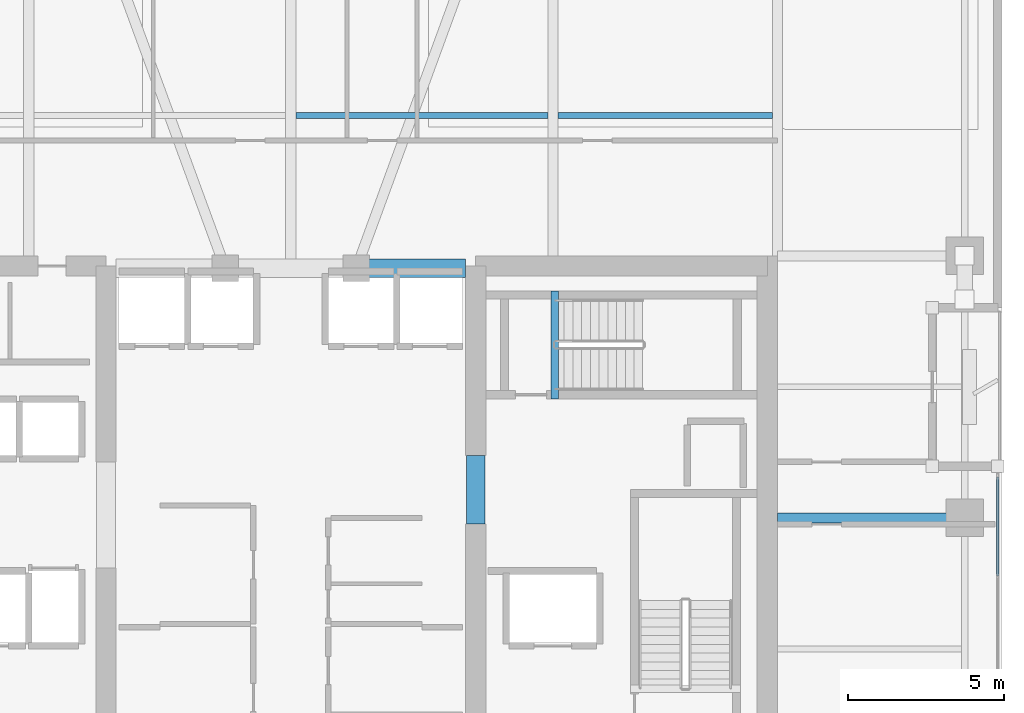
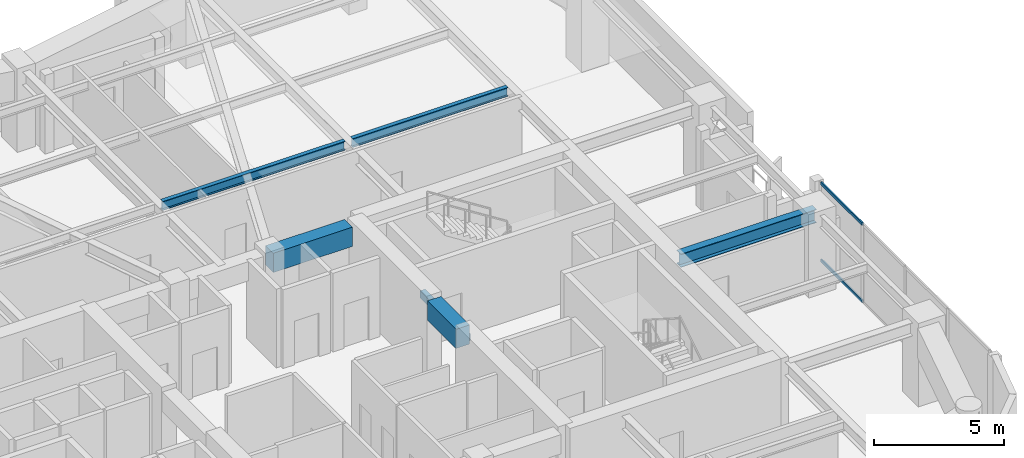
# One storey, part 10 of 30: 6 beams, 2 members, 1 element without a shape of its own.
"""IFC4 building model written with IfcOpenShell, lengths in metres."""

from ifc_helpers import new_model, si_unit, direction, frame, origin, origin_2d, place, context, subcontext, project, spatial, rectangle, hollow_rectangle, i_section, extrude, material, layer, layer_set, material_profile, profile_set, type_object, element, aggregate, save


model = new_model("IFC4")

# Units and contexts
model_context = context("Model", 3, precision=1e-05, world=origin(), true_north=direction((0.0, 1.0)))
body_context = subcontext(model_context, "Body", "Model", "MODEL_VIEW")
ifc_project = project(units=[si_unit("LENGTHUNIT", "METRE"), si_unit("AREAUNIT", "SQUARE_METRE"), si_unit("VOLUMEUNIT", "CUBIC_METRE"), si_unit("PLANEANGLEUNIT", "RADIAN"), si_unit("MASSUNIT", "GRAM", prefix="KILO")], contexts=[model_context])

# Site, building, storey
site_placement = place(None, origin())
site = spatial("IfcSite", under=ifc_project, at=site_placement, CompositionType="ELEMENT")
building_placement = place(site_placement, origin())
building = spatial("IfcBuilding", under=site, at=building_placement, Name="Kiyonajd Concourse Tower", CompositionType="ELEMENT")
storey_placement = place(building_placement, frame((0.0, 0.0, 201.89990234375)))
storey = spatial("IfcBuildingStorey", under=building, at=storey_placement, Name="L51", CompositionType="ELEMENT", Elevation=201.89990234375)

# Beams
ifc_material_1 = material(Name="Concrete C60/75", Category="concrete")
ifc_material_profile_1 = material_profile(ifc_material_1, rectangle(XDim=0.60009765625, YDim=0.89990234375, at=origin_2d()), Name="RCBM-600x900")
ifc_profile_set_1 = profile_set([ifc_material_profile_1], Name="Concrete C60/75")
beam_type_1 = type_object("IfcBeamType", Name="BM-COUP-900", PredefinedType="LINTEL", material=ifc_profile_set_1)
beam_1_placement = place(storey_placement, frame((50.10009765625, 44.0, 3.22998046875), z_axis=(1.0, 0.0, 0.0), x_axis=(0.0, 1.0, 0.0)))
element("IfcBeam", 1, at=beam_1_placement, inside=storey, type_object=beam_type_1, Name="L51 Core Coupling Beam N3", PredefinedType="LINTEL", context=body_context, shape_type="SweptSolid", body=[
    extrude(rectangle(XDim=0.60009765625, YDim=0.89990234375, at=origin_2d()), origin(), (0.0, 0.0, 1.0), 3.5),
])
beam_2_placement = place(storey_placement, frame((53.925048828125, 35.800048828125, 3.22998046875), z_axis=(0.0, 1.0, 0.0), x_axis=(-1.0, 0.0, 0.0)))
element("IfcBeam", 2, at=beam_2_placement, inside=storey, type_object=beam_type_1, Name="L51 East Core Throat Coupling Lintel", PredefinedType="LINTEL", context=body_context, shape_type="SweptSolid", body=[
    extrude(rectangle(XDim=0.60009765625, YDim=0.89990234375, at=origin_2d()), origin(), (0.0, 0.0, 1.0), 2.199951171875),
])
ifc_material_2 = material(Name="Steel ASTM A992 Grade 50", Category="steel")
ifc_material_profile_2 = material_profile(ifc_material_2, i_section(OverallWidth=0.180908203125, OverallDepth=0.4169921875, WebThickness=0.010986328125, FlangeThickness=0.018310546875, at=origin_2d()), Name="W410X85")
ifc_profile_set_2 = profile_set([ifc_material_profile_2], Name="Steel ASTM A992 Grade 50")
beam_type_2 = type_object("IfcBeamType", Name="BM-JST-410", PredefinedType="JOIST", material=ifc_profile_set_2)
beam_3_placement = place(storey_placement, frame((48.16357421875, 48.89990234375, 3.4716796875), z_axis=(1.0, 0.0, 0.0), x_axis=(0.0, 1.0, 0.0)))
element("IfcBeam", 3, at=beam_3_placement, inside=storey, type_object=beam_type_2, Name="L51 Secondary Floor Joist", PredefinedType="JOIST", context=body_context, shape_type="SweptSolid", body=[
    extrude(i_section(OverallWidth=0.180908203125, OverallDepth=0.4169921875, WebThickness=0.010986328125, FlangeThickness=0.018310546875, at=origin_2d()), origin(), (0.0, 0.0, 1.0), 8.072998046875),
])
beam_4_placement = place(storey_placement, frame((56.5634765625, 48.89990234375, 3.4716796875), z_axis=(1.0, 0.0, 0.0), x_axis=(0.0, 1.0, 0.0)))
element("IfcBeam", 4, at=beam_4_placement, inside=storey, type_object=beam_type_2, Name="L51 Secondary Floor Joist", PredefinedType="JOIST", context=body_context, shape_type="SweptSolid", body=[
    extrude(i_section(OverallWidth=0.180908203125, OverallDepth=0.4169921875, WebThickness=0.010986328125, FlangeThickness=0.018310546875, at=origin_2d()), origin(), (0.0, 0.0, 1.0), 6.873046875),
])
ifc_material_3 = material(Name="Concrete C50/60", Category="concrete")
ifc_material_profile_3 = material_profile(ifc_material_3, rectangle(XDim=0.239990234375, YDim=0.320068359375, at=origin_2d()), Name="RCBM-240x320")
ifc_profile_set_3 = profile_set([ifc_material_profile_3], Name="Concrete C50/60")
beam_type_3 = type_object("IfcBeamType", Name="BM-LNT-250", PredefinedType="LINTEL", material=ifc_profile_set_3)
beam_5_placement = place(storey_placement, frame((56.4599609375, 39.820068359375, -0.159912109375), z_axis=(0.0, 1.0, 0.0), x_axis=(-1.0, 0.0, 0.0)))
element("IfcBeam", 5, at=beam_5_placement, inside=storey, type_object=beam_type_3, Name="L51 Stair ST3 Threshold Support Beam", PredefinedType="LINTEL", context=body_context, shape_type="SweptSolid", body=[
    extrude(rectangle(XDim=0.239990234375, YDim=0.320068359375, at=origin_2d()), origin(), (0.0, 0.0, 1.0), 3.4599609375),
])
ifc_material_profile_4 = material_profile(ifc_material_2, i_section(OverallWidth=0.326904296875, OverallDepth=0.6220703125, WebThickness=0.015380859375, FlangeThickness=0.0244140625, at=origin_2d()), Name="W610X195")
ifc_profile_set_4 = profile_set([ifc_material_profile_4], Name="Steel ASTM A992 Grade 50")
beam_type_4 = type_object("IfcBeamType", Name="BM-TWR-610A", PredefinedType="BEAM", material=ifc_profile_set_4)
beam_6_placement = place(storey_placement, frame((63.60009765625, 36.0, 3.369140625), z_axis=(1.0, 0.0, 0.0), x_axis=(0.0, 1.0, 0.0)))
element("IfcBeam", 6, at=beam_6_placement, inside=storey, type_object=beam_type_4, Name="L51 East Lease Girder", PredefinedType="BEAM", context=body_context, shape_type="SweptSolid", body=[
    extrude(i_section(OverallWidth=0.326904296875, OverallDepth=0.6220703125, WebThickness=0.015380859375, FlangeThickness=0.0244140625, at=origin_2d()), origin(), (0.0, 0.0, 1.0), 6.0),
])

# Curtain wall, members
ifc_material_4 = material(Name="Thermally Broken Anodised Aluminium", Category="aluminium")
ifc_layer = layer(ifc_material_4, 0.179931640625)
ifc_layer_set = layer_set([ifc_layer], Name="Thermally Broken Anodised Aluminium")
curtain_wall_type = type_object("IfcCurtainWallType", Name="CW-SYS-03", PredefinedType="NOTDEFINED", material=ifc_layer_set)
curtain_wall_placement = place(storey_placement, origin())
curtain_wall = element("IfcCurtainWall", 7, at=curtain_wall_placement, inside=storey, type_object=curtain_wall_type, Name="L51 Unitised Curtain Wall CW3", PredefinedType="NOTDEFINED")
ifc_material_profile_5 = material_profile(ifc_material_4, hollow_rectangle(XDim=0.06494140625, YDim=0.139892578125, WallThickness=0.00390625, at=origin_2d()), Name="TRAN-65x140")
ifc_profile_set_5 = profile_set([ifc_material_profile_5], Name="Thermally Broken Anodised Aluminium")
member_type = type_object("IfcMemberType", Name="MB-CW-TRAN1", PredefinedType="USERDEFINED", material=ifc_profile_set_5)
member_1_placement = place(storey_placement, frame((70.659912109375, 37.304931640625, 0.03271484375), z_axis=(0.0, -1.0, 0.0), x_axis=(1.0, 0.0, 0.0)))
member_1 = element("IfcMember", 8, at=member_1_placement, type_object=member_type, Name="CW3 transom 1.1", ObjectType="TRANSOM", PredefinedType="USERDEFINED", context=body_context, shape_type="SweptSolid", body=[
    extrude(hollow_rectangle(XDim=0.06494140625, YDim=0.139892578125, WallThickness=0.00390625, at=origin_2d()), origin(), (0.0, 0.0, 1.0), 3.167724609375),
])
member_2_placement = place(storey_placement, frame((70.659912109375, 37.304931640625, 3.647705078125), z_axis=(0.0, -1.0, 0.0), x_axis=(1.0, 0.0, 0.0)))
member_2 = element("IfcMember", 9, at=member_2_placement, type_object=member_type, Name="CW3 transom 1.2", ObjectType="TRANSOM", PredefinedType="USERDEFINED", context=body_context, shape_type="SweptSolid", body=[
    extrude(hollow_rectangle(XDim=0.06494140625, YDim=0.139892578125, WallThickness=0.00390625, at=origin_2d()), origin(), (0.0, 0.0, 1.0), 3.167724609375),
])
aggregate(curtain_wall, [member_1, member_2])

save(model, "model.ifc")
